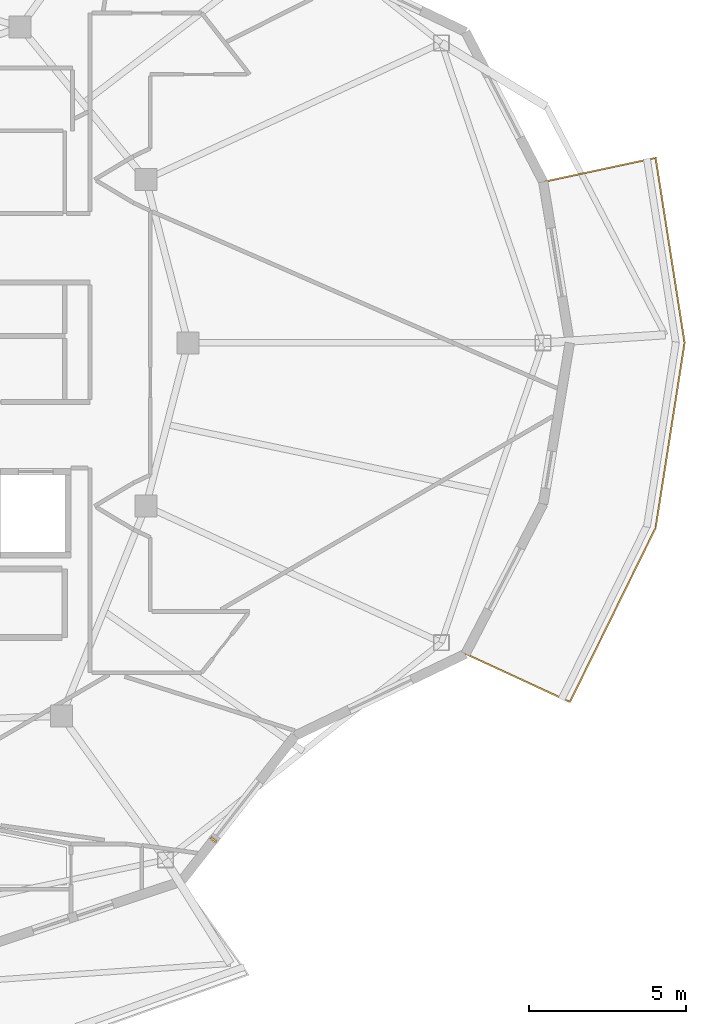
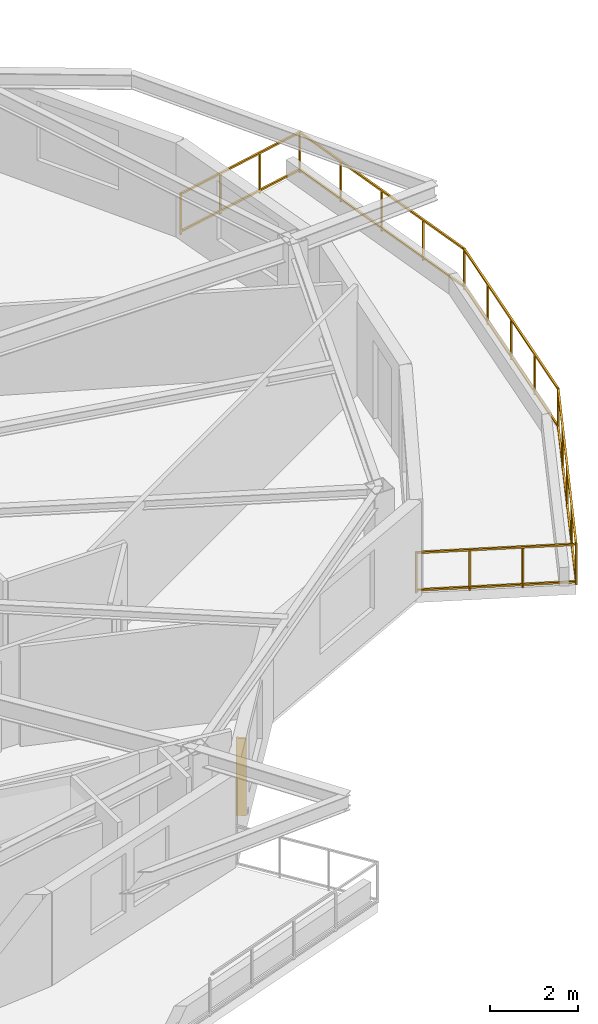
# One storey, part 16 of 18: 1 railing, 1 shading device.
"""IFC4 building model written with IfcOpenShell, lengths in metres."""

from ifc_helpers import new_model, si_unit, direction, frame, origin, origin_2d, place, context, subcontext, project, spatial, rectangle, extrude, material, type_object, element, save


model = new_model("IFC4")

# Units and contexts
model_context = context("Model", 3, precision=1e-05, world=origin(), true_north=direction((0.0, 1.0)))
body_context = subcontext(model_context, "Body", "Model", "MODEL_VIEW")
ifc_project = project(units=[si_unit("LENGTHUNIT", "METRE"), si_unit("AREAUNIT", "SQUARE_METRE"), si_unit("VOLUMEUNIT", "CUBIC_METRE"), si_unit("PLANEANGLEUNIT", "RADIAN"), si_unit("MASSUNIT", "GRAM", prefix="KILO")], contexts=[model_context])

# Site, building, storey
site_placement = place(None, origin())
site = spatial("IfcSite", under=ifc_project, at=site_placement, CompositionType="ELEMENT")
building_placement = place(site_placement, origin())
building = spatial("IfcBuilding", under=site, at=building_placement, Name="Kolvaren Gate Tower and Convention Centre", CompositionType="ELEMENT")
storey_placement = place(building_placement, frame((0.0, 0.0, 229.39990234375)))
storey = spatial("IfcBuildingStorey", under=building, at=storey_placement, Name="L61", CompositionType="ELEMENT", Elevation=229.39990234375)

# Railing
ifc_material_1 = material(Name="Brushed Stainless Steel Grade 316L", Category="steel")
railing_type = type_object("IfcRailingType", Name="ARCH-RL-GUARD-1150", PredefinedType="GUARDRAIL", material=ifc_material_1)
railing_placement = place(storey_placement, frame((51.55908203125, 17.10009765625, 0.0)))
element("IfcRailing", 1, at=railing_placement, inside=storey, type_object=railing_type, Name="Tower L61 Terrace Perimeter Guardrail GR-4", PredefinedType="GUARDRAIL", context=body_context, shape_type="SweptSolid", body=[
    extrude(rectangle(XDim=0.048095703125, YDim=0.048095703125, at=origin_2d()), frame((0.025390625, -0.01171875, 1.1259765625), z_axis=(0.907820723829, -0.419358478377, 0.0), x_axis=(0.419358478377, 0.907820723829, 0.0)), (0.0, 0.0, 1.0), 3.60400390625),
    extrude(rectangle(XDim=0.048095703125, YDim=0.048095703125, at=origin_2d()), frame((0.025390625, -0.01171875, 0.083984375), z_axis=(0.907820723829, -0.419358478377, 0.0), x_axis=(0.419358478377, 0.907820723829, 0.0)), (0.0, 0.0, 1.0), 3.60400390625),
    extrude(rectangle(XDim=0.048095703125, YDim=0.048095703125, at=origin_2d()), frame((3.335205078125, -1.509765625, 1.1259765625), z_axis=(0.441625304244, 0.897199582396, 0.0), x_axis=(-0.897199582396, 0.441625304244, 0.0)), (0.0, 0.0, 1.0), 6.122314453125),
    extrude(rectangle(XDim=0.048095703125, YDim=0.048095703125, at=origin_2d()), frame((3.335205078125, -1.509765625, 0.083984375), z_axis=(0.441625304244, 0.897199582396, 0.0), x_axis=(-0.897199582396, 0.441625304244, 0.0)), (0.0, 0.0, 1.0), 6.122314453125),
    extrude(rectangle(XDim=0.048095703125, YDim=0.048095703125, at=origin_2d()), frame((6.0556640625, 4.035888671875, 1.1259765625), z_axis=(0.155031225865, 0.987909570258, 0.0), x_axis=(-0.987909570258, 0.155031225865, 0.0)), (0.0, 0.0, 1.0), 5.90771484375),
    extrude(rectangle(XDim=0.048095703125, YDim=0.048095703125, at=origin_2d()), frame((6.0556640625, 4.035888671875, 0.083984375), z_axis=(0.155031225865, 0.987909570258, 0.0), x_axis=(-0.987909570258, 0.155031225865, 0.0)), (0.0, 0.0, 1.0), 5.90771484375),
    extrude(rectangle(XDim=0.048095703125, YDim=0.048095703125, at=origin_2d()), frame((6.971435546875, 9.927490234375, 1.1259765625), z_axis=(-0.155031225865, 0.987909570258, 0.0), x_axis=(-0.987909570258, -0.155031225865, 0.0)), (0.0, 0.0, 1.0), 5.90771484375),
    extrude(rectangle(XDim=0.048095703125, YDim=0.048095703125, at=origin_2d()), frame((6.971435546875, 9.927490234375, 0.083984375), z_axis=(-0.155031225865, 0.987909570258, 0.0), x_axis=(-0.987909570258, -0.155031225865, 0.0)), (0.0, 0.0, 1.0), 5.90771484375),
    extrude(rectangle(XDim=0.048095703125, YDim=0.048095703125, at=origin_2d()), frame((6.02392578125, 15.78564453125, 1.1259765625), z_axis=(-0.977788745232, -0.209592866525, 0.0), x_axis=(0.209592866525, -0.977788745232, 0.0)), (0.0, 0.0, 1.0), 3.603759765625),
    extrude(rectangle(XDim=0.048095703125, YDim=0.048095703125, at=origin_2d()), frame((6.02392578125, 15.78564453125, 0.083984375), z_axis=(-0.977788745232, -0.209592866525, 0.0), x_axis=(0.209592866525, -0.977788745232, 0.0)), (0.0, 0.0, 1.0), 3.603759765625),
    extrude(rectangle(XDim=0.0419921875, YDim=0.0419921875, at=origin_2d()), origin(), (0.0, 0.0, 1.0), 1.14990234375),
    extrude(rectangle(XDim=0.0419921875, YDim=0.0419921875, at=origin_2d()), frame((3.32275390625, -1.534912109375, 0.0)), (0.0, 0.0, 1.0), 1.14990234375),
    extrude(rectangle(XDim=0.0419921875, YDim=0.0419921875, at=origin_2d()), frame((1.107666015625, -0.51171875, 0.0)), (0.0, 0.0, 1.0), 1.099853515625),
    extrude(rectangle(XDim=0.0419921875, YDim=0.0419921875, at=origin_2d()), frame((2.215087890625, -1.023193359375, 0.0)), (0.0, 0.0, 1.0), 1.099853515625),
    extrude(rectangle(XDim=0.0419921875, YDim=0.0419921875, at=origin_2d()), frame((6.05126953125, 4.00830078125, 0.0)), (0.0, 0.0, 1.0), 1.14990234375),
    extrude(rectangle(XDim=0.0419921875, YDim=0.0419921875, at=origin_2d()), frame((4.0048828125, -0.149169921875, 0.0)), (0.0, 0.0, 1.0), 1.099853515625),
    extrude(rectangle(XDim=0.0419921875, YDim=0.0419921875, at=origin_2d()), frame((4.68701171875, 1.23681640625, 0.0)), (0.0, 0.0, 1.0), 1.099853515625),
    extrude(rectangle(XDim=0.0419921875, YDim=0.0419921875, at=origin_2d()), frame((5.369140625, 2.62255859375, 0.0)), (0.0, 0.0, 1.0), 1.099853515625),
    extrude(rectangle(XDim=0.0419921875, YDim=0.0419921875, at=origin_2d()), frame((6.975830078125, 9.89990234375, 0.0)), (0.0, 0.0, 1.0), 1.14990234375),
    extrude(rectangle(XDim=0.0419921875, YDim=0.0419921875, at=origin_2d()), frame((6.282470703125, 5.481201171875, 0.0)), (0.0, 0.0, 1.0), 1.099853515625),
    extrude(rectangle(XDim=0.0419921875, YDim=0.0419921875, at=origin_2d()), frame((6.513671875, 6.9541015625, 0.0)), (0.0, 0.0, 1.0), 1.099853515625),
    extrude(rectangle(XDim=0.0419921875, YDim=0.0419921875, at=origin_2d()), frame((6.74462890625, 8.427001953125, 0.0)), (0.0, 0.0, 1.0), 1.099853515625),
    extrude(rectangle(XDim=0.0419921875, YDim=0.0419921875, at=origin_2d()), frame((6.05126953125, 15.79150390625, 0.0)), (0.0, 0.0, 1.0), 1.14990234375),
    extrude(rectangle(XDim=0.0419921875, YDim=0.0419921875, at=origin_2d()), frame((6.74462890625, 11.372802734375, 0.0)), (0.0, 0.0, 1.0), 1.099853515625),
    extrude(rectangle(XDim=0.0419921875, YDim=0.0419921875, at=origin_2d()), frame((6.513671875, 12.845703125, 0.0)), (0.0, 0.0, 1.0), 1.099853515625),
    extrude(rectangle(XDim=0.0419921875, YDim=0.0419921875, at=origin_2d()), frame((6.282470703125, 14.318603515625, 0.0)), (0.0, 0.0, 1.0), 1.099853515625),
    extrude(rectangle(XDim=0.0419921875, YDim=0.0419921875, at=origin_2d()), frame((2.47265625, 15.0244140625, 0.0)), (0.0, 0.0, 1.0), 1.14990234375),
    extrude(rectangle(XDim=0.0419921875, YDim=0.0419921875, at=origin_2d()), frame((4.8583984375, 15.535888671875, 0.0)), (0.0, 0.0, 1.0), 1.099853515625),
    extrude(rectangle(XDim=0.0419921875, YDim=0.0419921875, at=origin_2d()), frame((3.66552734375, 15.280029296875, 0.0)), (0.0, 0.0, 1.0), 1.099853515625),
])

# Shading device
ifc_material_2 = material(Name="Kiln-Fired Bogota Terracotta Ceramic Louvre Profile", Category="masonry")
shading_device_type = type_object("IfcShadingDeviceType", Name="ARCH-SHD-FIN-180", PredefinedType="JALOUSIE", material=ifc_material_2)
shading_device_placement = place(storey_placement, frame((43.539306640625, 11.180419921875, 0.22021484375), z_axis=(0.0, 0.0, 1.0), x_axis=(0.616434119112, 0.787406487651, 0.0)))
element("IfcShadingDevice", 2, at=shading_device_placement, inside=storey, type_object=shading_device_type, Name="Ceramic Vertical Brise-Soleil Fin FN-L61-20", PredefinedType="JALOUSIE", context=body_context, shape_type="SweptSolid", body=[
    extrude(rectangle(XDim=0.06005859375, YDim=0.239990234375, at=origin_2d()), origin(), (0.0, 0.0, 1.0), 2.14990234375),
])

save(model, "model.ifc")
